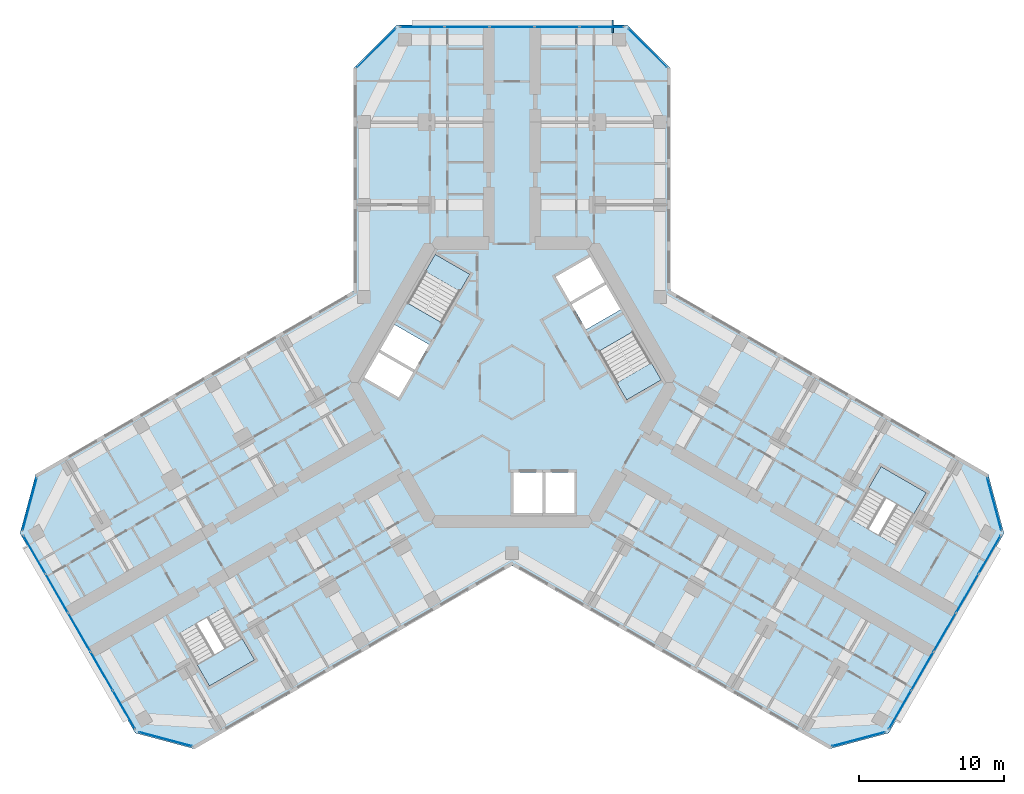
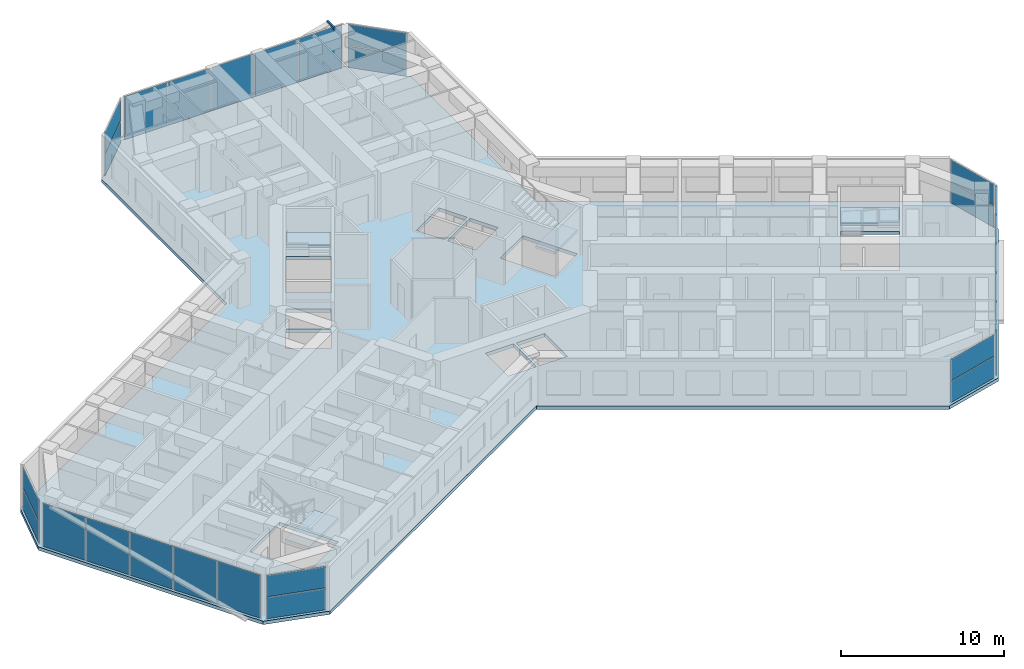
# One storey, part 9 of 20: 27 plates, 5 slabs, 1 member, 13 elements without a shape of their own.
"""IFC4 building model written with IfcOpenShell, lengths in metres."""

from ifc_helpers import new_model, si_unit, direction, frame, origin, origin_2d, place, context, subcontext, project, spatial, polyline, rectangle, hollow_rectangle, outline, extrude, material, layer, layer_set, material_profile, profile_set, type_object, element, aggregate, save


model = new_model("IFC4")

# Units and contexts
model_context = context("Model", 3, precision=1e-05, world=origin(), true_north=direction((0.0, 1.0)))
body_context = subcontext(model_context, "Body", "Model", "MODEL_VIEW")
ifc_project = project(units=[si_unit("LENGTHUNIT", "METRE"), si_unit("AREAUNIT", "SQUARE_METRE"), si_unit("VOLUMEUNIT", "CUBIC_METRE"), si_unit("PLANEANGLEUNIT", "RADIAN"), si_unit("MASSUNIT", "GRAM", prefix="KILO")], contexts=[model_context])

# Site, building, storey
site_placement = place(None, origin())
site = spatial("IfcSite", under=ifc_project, at=site_placement, CompositionType="ELEMENT")
building_placement = place(site_placement, origin())
building = spatial("IfcBuilding", under=site, at=building_placement, Name="Kosmar Iwan School Tower", CompositionType="ELEMENT")
storey_placement = place(building_placement, frame((0.0, 0.0, 179.60009765625)))
storey = spatial("IfcBuildingStorey", under=building, at=storey_placement, Name="L45", CompositionType="ELEMENT", Elevation=179.60009765625)

# Member
ifc_material_1 = material(Name="Steel S355", Category="steel")
ifc_material_profile = material_profile(ifc_material_1, hollow_rectangle(XDim=0.10009765625, YDim=0.199951171875, WallThickness=0.008056640625, at=origin_2d()), Name="RHS 200x100x8")
ifc_profile_set = profile_set([ifc_material_profile], Name="Steel S355")
member_type = type_object("IfcMemberType", Name="Fin bracket RHS 200x100", PredefinedType="USERDEFINED", material=ifc_profile_set)
member_placement = place(storey_placement, frame((6.949951171875, 24.10009765625, 3.474853515625), z_axis=(0.0, 1.0, 0.0), x_axis=(-1.0, 0.0, 0.0)))
element("IfcMember", 1, at=member_placement, inside=storey, type_object=member_type, Name="Fin bracket L46", ObjectType="FIN BRACKET", PredefinedType="USERDEFINED", context=body_context, shape_type="SweptSolid", body=[
    extrude(hollow_rectangle(XDim=0.10009765625, YDim=0.199951171875, WallThickness=0.008056640625, at=origin_2d()), origin(), (0.0, 0.0, 1.0), 0.89990234375),
])

# Curtain wall, plates
ifc_material_2 = material(Name="Dark glass in black aluminium frame", Category="aluminium")
curtain_wall_type_1 = type_object("IfcCurtainWallType", Name="Chamfer curtain wall dark glass", PredefinedType="USERDEFINED", material=ifc_material_2)
curtain_wall_1_placement = place(storey_placement, origin())
curtain_wall_1 = element("IfcCurtainWall", 2, at=curtain_wall_1_placement, inside=storey, type_object=curtain_wall_type_1, Name="Curtain wall L45-F02", ObjectType="FACETED CURTAIN WALL", PredefinedType="USERDEFINED")
ifc_material_3 = material(Name="Dark glass", Category="glass")
ifc_layer_1 = layer(ifc_material_3, 0.028076171875)
ifc_layer_set_1 = layer_set([ifc_layer_1], Name="Dark glass panel 28")
plate_type = type_object("IfcPlateType", Name="Dark glass panel 28", PredefinedType="CURTAIN_PANEL", material=ifc_layer_set_1)
plate_1_placement = place(storey_placement, frame((23.908203125, -24.61328125, 0.059814453125), z_axis=(0.0, 0.0, 1.0), x_axis=(0.965925875495, 0.258818861462, 0.0)))
plate_1 = element("IfcPlate", 3, at=plate_1_placement, type_object=plate_type, Name="CW2 panel 1.1", PredefinedType="CURTAIN_PANEL", context=body_context, shape_type="SweptSolid", body=[
    extrude(rectangle(XDim=3.718994140625, YDim=0.028076171875, at=origin_2d()), origin(), (0.0, 0.0, 1.0), 1.5849609375),
])
plate_2_placement = place(storey_placement, frame((23.908203125, -24.61328125, 1.704833984375), z_axis=(0.0, 0.0, 1.0), x_axis=(0.965925875495, 0.258818861462, 0.0)))
plate_2 = element("IfcPlate", 4, at=plate_2_placement, type_object=plate_type, Name="CW2 panel 1.2", PredefinedType="CURTAIN_PANEL", context=body_context, shape_type="SweptSolid", body=[
    extrude(rectangle(XDim=3.718994140625, YDim=0.028076171875, at=origin_2d()), origin(), (0.0, 0.0, 1.0), 1.5849609375),
])
aggregate(curtain_wall_1, [plate_1, plate_2])

ifc_material_4 = material(Name="Dark glass in black aluminium frame", Category="aluminium")
curtain_wall_type_2 = type_object("IfcCurtainWallType", Name="Tower curtain wall dark glass", PredefinedType="USERDEFINED", material=ifc_material_4)
curtain_wall_2_placement = place(storey_placement, origin())
curtain_wall_2 = element("IfcCurtainWall", 5, at=curtain_wall_2_placement, inside=storey, type_object=curtain_wall_type_2, Name="Curtain wall L45-F03", ObjectType="UNITISED CURTAIN WALL", PredefinedType="USERDEFINED")
plate_3_placement = place(storey_placement, frame((26.764404296875, -22.592529296875, 0.059814453125), z_axis=(0.0, 0.0, 1.0), x_axis=(0.499999997325, 0.866025405329, 0.0)))
plate_3 = element("IfcPlate", 6, at=plate_3_placement, type_object=plate_type, Name="CW1 panel 1.1", PredefinedType="CURTAIN_PANEL", context=body_context, shape_type="SweptSolid", body=[
    extrude(rectangle(XDim=3.00927734375, YDim=0.028076171875, at=origin_2d()), origin(), (0.0, 0.0, 1.0), 3.22998046875),
])
plate_4_placement = place(storey_placement, frame((28.306640625, -19.921630859375, 0.059814453125), z_axis=(0.0, 0.0, 1.0), x_axis=(0.499999997325, 0.866025405329, 0.0)))
plate_4 = element("IfcPlate", 7, at=plate_4_placement, type_object=plate_type, Name="CW1 panel 2.1", PredefinedType="CURTAIN_PANEL", context=body_context, shape_type="SweptSolid", body=[
    extrude(rectangle(XDim=3.039306640625, YDim=0.028076171875, at=origin_2d()), origin(), (0.0, 0.0, 1.0), 3.22998046875),
])
plate_5_placement = place(storey_placement, frame((29.856201171875, -17.237548828125, 0.059814453125), z_axis=(0.0, 0.0, 1.0), x_axis=(0.499999997325, 0.866025405329, 0.0)))
plate_5 = element("IfcPlate", 8, at=plate_5_placement, type_object=plate_type, Name="CW1 panel 3.1", PredefinedType="CURTAIN_PANEL", context=body_context, shape_type="SweptSolid", body=[
    extrude(rectangle(XDim=3.039306640625, YDim=0.028076171875, at=origin_2d()), origin(), (0.0, 0.0, 1.0), 3.22998046875),
])
plate_6_placement = place(storey_placement, frame((31.40576171875, -14.553466796875, 0.059814453125), z_axis=(0.0, 0.0, 1.0), x_axis=(0.499999997325, 0.866025405329, 0.0)))
plate_6 = element("IfcPlate", 9, at=plate_6_placement, type_object=plate_type, Name="CW1 panel 4.1", PredefinedType="CURTAIN_PANEL", context=body_context, shape_type="SweptSolid", body=[
    extrude(rectangle(XDim=3.039306640625, YDim=0.028076171875, at=origin_2d()), origin(), (0.0, 0.0, 1.0), 3.22998046875),
])
plate_7_placement = place(storey_placement, frame((32.947998046875, -11.88232421875, 0.059814453125), z_axis=(0.0, 0.0, 1.0), x_axis=(0.499999997325, 0.866025405329, 0.0)))
plate_7 = element("IfcPlate", 10, at=plate_7_placement, type_object=plate_type, Name="CW1 panel 5.1", PredefinedType="CURTAIN_PANEL", context=body_context, shape_type="SweptSolid", body=[
    extrude(rectangle(XDim=3.00927734375, YDim=0.028076171875, at=origin_2d()), origin(), (0.0, 0.0, 1.0), 3.22998046875),
])
aggregate(curtain_wall_2, [plate_3, plate_4, plate_5, plate_6, plate_7])

curtain_wall_3_placement = place(storey_placement, origin())
curtain_wall_3 = element("IfcCurtainWall", 11, at=curtain_wall_3_placement, inside=storey, type_object=curtain_wall_type_1, Name="Curtain wall L45-F04", ObjectType="FACETED CURTAIN WALL", PredefinedType="USERDEFINED")
plate_8_placement = place(storey_placement, frame((33.269775390625, -8.3984375, 0.059814453125), z_axis=(0.0, 0.0, 1.0), x_axis=(-0.258818861462, 0.965925875495, 0.0)))
plate_8 = element("IfcPlate", 12, at=plate_8_placement, type_object=plate_type, Name="CW2 panel 1.1", PredefinedType="CURTAIN_PANEL", context=body_context, shape_type="SweptSolid", body=[
    extrude(rectangle(XDim=3.718994140625, YDim=0.028076171875, at=origin_2d()), origin(), (0.0, 0.0, 1.0), 1.5849609375),
])
plate_9_placement = place(storey_placement, frame((33.269775390625, -8.3984375, 1.704833984375), z_axis=(0.0, 0.0, 1.0), x_axis=(-0.258818861462, 0.965925875495, 0.0)))
plate_9 = element("IfcPlate", 13, at=plate_9_placement, type_object=plate_type, Name="CW2 panel 1.2", PredefinedType="CURTAIN_PANEL", context=body_context, shape_type="SweptSolid", body=[
    extrude(rectangle(XDim=3.718994140625, YDim=0.028076171875, at=origin_2d()), origin(), (0.0, 0.0, 1.0), 1.5849609375),
])
aggregate(curtain_wall_3, [plate_8, plate_9])

curtain_wall_4_placement = place(storey_placement, origin())
curtain_wall_4 = element("IfcCurtainWall", 14, at=curtain_wall_4_placement, inside=storey, type_object=curtain_wall_type_1, Name="Curtain wall L45-F07", ObjectType="FACETED CURTAIN WALL", PredefinedType="USERDEFINED")
plate_10_placement = place(storey_placement, frame((9.361572265625, 23.0615234375, 0.059814453125), z_axis=(0.0, 0.0, 1.0), x_axis=(-0.707106781187, 0.707106781187, 0.0)))
plate_10 = element("IfcPlate", 15, at=plate_10_placement, type_object=plate_type, Name="CW2 panel 1.1", PredefinedType="CURTAIN_PANEL", context=body_context, shape_type="SweptSolid", body=[
    extrude(rectangle(XDim=3.718994140625, YDim=0.028076171875, at=origin_2d()), origin(), (0.0, 0.0, 1.0), 1.5849609375),
])
plate_11_placement = place(storey_placement, frame((9.361572265625, 23.0615234375, 1.704833984375), z_axis=(0.0, 0.0, 1.0), x_axis=(-0.707106781187, 0.707106781187, 0.0)))
plate_11 = element("IfcPlate", 16, at=plate_11_placement, type_object=plate_type, Name="CW2 panel 1.2", PredefinedType="CURTAIN_PANEL", context=body_context, shape_type="SweptSolid", body=[
    extrude(rectangle(XDim=3.718994140625, YDim=0.028076171875, at=origin_2d()), origin(), (0.0, 0.0, 1.0), 1.5849609375),
])
aggregate(curtain_wall_4, [plate_10, plate_11])

curtain_wall_5_placement = place(storey_placement, origin())
curtain_wall_5 = element("IfcCurtainWall", 17, at=curtain_wall_5_placement, inside=storey, type_object=curtain_wall_type_2, Name="Curtain wall L45-F08", ObjectType="UNITISED CURTAIN WALL", PredefinedType="USERDEFINED")
plate_12_placement = place(storey_placement, frame((6.18359375, 24.52490234375, 0.059814453125), z_axis=(0.0, 0.0, 1.0), x_axis=(-1.0, 0.0, 0.0)))
plate_12 = element("IfcPlate", 18, at=plate_12_placement, type_object=plate_type, Name="CW1 panel 1.1", PredefinedType="CURTAIN_PANEL", context=body_context, shape_type="SweptSolid", body=[
    extrude(rectangle(XDim=3.00927734375, YDim=0.028076171875, at=origin_2d()), origin(), (0.0, 0.0, 1.0), 3.22998046875),
])
plate_13_placement = place(storey_placement, frame((3.099365234375, 24.52490234375, 0.059814453125), z_axis=(0.0, 0.0, 1.0), x_axis=(-1.0, 0.0, 0.0)))
plate_13 = element("IfcPlate", 19, at=plate_13_placement, type_object=plate_type, Name="CW1 panel 2.1", PredefinedType="CURTAIN_PANEL", context=body_context, shape_type="SweptSolid", body=[
    extrude(rectangle(XDim=3.039306640625, YDim=0.028076171875, at=origin_2d()), origin(), (0.0, 0.0, 1.0), 3.22998046875),
])
plate_14_placement = place(storey_placement, frame((0.0, 24.52490234375, 0.059814453125), z_axis=(0.0, 0.0, 1.0), x_axis=(-1.0, 0.0, 0.0)))
plate_14 = element("IfcPlate", 20, at=plate_14_placement, type_object=plate_type, Name="CW1 panel 3.1", PredefinedType="CURTAIN_PANEL", context=body_context, shape_type="SweptSolid", body=[
    extrude(rectangle(XDim=3.039306640625, YDim=0.028076171875, at=origin_2d()), origin(), (0.0, 0.0, 1.0), 3.22998046875),
])
plate_15_placement = place(storey_placement, frame((-3.099365234375, 24.52490234375, 0.059814453125), z_axis=(0.0, 0.0, 1.0), x_axis=(-1.0, 0.0, 0.0)))
plate_15 = element("IfcPlate", 21, at=plate_15_placement, type_object=plate_type, Name="CW1 panel 4.1", PredefinedType="CURTAIN_PANEL", context=body_context, shape_type="SweptSolid", body=[
    extrude(rectangle(XDim=3.039306640625, YDim=0.028076171875, at=origin_2d()), origin(), (0.0, 0.0, 1.0), 3.22998046875),
])
plate_16_placement = place(storey_placement, frame((-6.18359375, 24.52490234375, 0.059814453125), z_axis=(0.0, 0.0, 1.0), x_axis=(-1.0, 0.0, 0.0)))
plate_16 = element("IfcPlate", 22, at=plate_16_placement, type_object=plate_type, Name="CW1 panel 5.1", PredefinedType="CURTAIN_PANEL", context=body_context, shape_type="SweptSolid", body=[
    extrude(rectangle(XDim=3.00927734375, YDim=0.028076171875, at=origin_2d()), origin(), (0.0, 0.0, 1.0), 3.22998046875),
])
aggregate(curtain_wall_5, [plate_12, plate_13, plate_14, plate_15, plate_16])

curtain_wall_6_placement = place(storey_placement, origin())
curtain_wall_6 = element("IfcCurtainWall", 23, at=curtain_wall_6_placement, inside=storey, type_object=curtain_wall_type_1, Name="Curtain wall L45-F09", ObjectType="FACETED CURTAIN WALL", PredefinedType="USERDEFINED")
plate_17_placement = place(storey_placement, frame((-9.361572265625, 23.0615234375, 0.059814453125), z_axis=(0.0, 0.0, 1.0), x_axis=(-0.707106781187, -0.707106781187, 0.0)))
plate_17 = element("IfcPlate", 24, at=plate_17_placement, type_object=plate_type, Name="CW2 panel 1.1", PredefinedType="CURTAIN_PANEL", context=body_context, shape_type="SweptSolid", body=[
    extrude(rectangle(XDim=3.718994140625, YDim=0.028076171875, at=origin_2d()), origin(), (0.0, 0.0, 1.0), 1.5849609375),
])
plate_18_placement = place(storey_placement, frame((-9.361572265625, 23.0615234375, 1.704833984375), z_axis=(0.0, 0.0, 1.0), x_axis=(-0.707106781187, -0.707106781187, 0.0)))
plate_18 = element("IfcPlate", 25, at=plate_18_placement, type_object=plate_type, Name="CW2 panel 1.2", PredefinedType="CURTAIN_PANEL", context=body_context, shape_type="SweptSolid", body=[
    extrude(rectangle(XDim=3.718994140625, YDim=0.028076171875, at=origin_2d()), origin(), (0.0, 0.0, 1.0), 1.5849609375),
])
aggregate(curtain_wall_6, [plate_17, plate_18])

curtain_wall_7_placement = place(storey_placement, origin())
curtain_wall_7 = element("IfcCurtainWall", 26, at=curtain_wall_7_placement, inside=storey, type_object=curtain_wall_type_1, Name="Curtain wall L45-F12", ObjectType="FACETED CURTAIN WALL", PredefinedType="USERDEFINED")
plate_19_placement = place(storey_placement, frame((-33.269775390625, -8.3984375, 0.059814453125), z_axis=(0.0, 0.0, 1.0), x_axis=(-0.258818861462, -0.965925875495, 0.0)))
plate_19 = element("IfcPlate", 27, at=plate_19_placement, type_object=plate_type, Name="CW2 panel 1.1", PredefinedType="CURTAIN_PANEL", context=body_context, shape_type="SweptSolid", body=[
    extrude(rectangle(XDim=3.718994140625, YDim=0.028076171875, at=origin_2d()), origin(), (0.0, 0.0, 1.0), 1.5849609375),
])
plate_20_placement = place(storey_placement, frame((-33.269775390625, -8.3984375, 1.704833984375), z_axis=(0.0, 0.0, 1.0), x_axis=(-0.258818861462, -0.965925875495, 0.0)))
plate_20 = element("IfcPlate", 28, at=plate_20_placement, type_object=plate_type, Name="CW2 panel 1.2", PredefinedType="CURTAIN_PANEL", context=body_context, shape_type="SweptSolid", body=[
    extrude(rectangle(XDim=3.718994140625, YDim=0.028076171875, at=origin_2d()), origin(), (0.0, 0.0, 1.0), 1.5849609375),
])
aggregate(curtain_wall_7, [plate_19, plate_20])

curtain_wall_8_placement = place(storey_placement, origin())
curtain_wall_8 = element("IfcCurtainWall", 29, at=curtain_wall_8_placement, inside=storey, type_object=curtain_wall_type_2, Name="Curtain wall L45-F13", ObjectType="UNITISED CURTAIN WALL", PredefinedType="USERDEFINED")
plate_21_placement = place(storey_placement, frame((-32.947998046875, -11.88232421875, 0.059814453125), z_axis=(0.0, 0.0, 1.0), x_axis=(0.499999997325, -0.866025405329, 0.0)))
plate_21 = element("IfcPlate", 30, at=plate_21_placement, type_object=plate_type, Name="CW1 panel 1.1", PredefinedType="CURTAIN_PANEL", context=body_context, shape_type="SweptSolid", body=[
    extrude(rectangle(XDim=3.00927734375, YDim=0.028076171875, at=origin_2d()), origin(), (0.0, 0.0, 1.0), 3.22998046875),
])
plate_22_placement = place(storey_placement, frame((-31.40576171875, -14.553466796875, 0.059814453125), z_axis=(0.0, 0.0, 1.0), x_axis=(0.499999997325, -0.866025405329, 0.0)))
plate_22 = element("IfcPlate", 31, at=plate_22_placement, type_object=plate_type, Name="CW1 panel 2.1", PredefinedType="CURTAIN_PANEL", context=body_context, shape_type="SweptSolid", body=[
    extrude(rectangle(XDim=3.039306640625, YDim=0.028076171875, at=origin_2d()), origin(), (0.0, 0.0, 1.0), 3.22998046875),
])
plate_23_placement = place(storey_placement, frame((-29.856201171875, -17.237548828125, 0.059814453125), z_axis=(0.0, 0.0, 1.0), x_axis=(0.499999997325, -0.866025405329, 0.0)))
plate_23 = element("IfcPlate", 32, at=plate_23_placement, type_object=plate_type, Name="CW1 panel 3.1", PredefinedType="CURTAIN_PANEL", context=body_context, shape_type="SweptSolid", body=[
    extrude(rectangle(XDim=3.039306640625, YDim=0.028076171875, at=origin_2d()), origin(), (0.0, 0.0, 1.0), 3.22998046875),
])
plate_24_placement = place(storey_placement, frame((-28.306640625, -19.921630859375, 0.059814453125), z_axis=(0.0, 0.0, 1.0), x_axis=(0.499999997325, -0.866025405329, 0.0)))
plate_24 = element("IfcPlate", 33, at=plate_24_placement, type_object=plate_type, Name="CW1 panel 4.1", PredefinedType="CURTAIN_PANEL", context=body_context, shape_type="SweptSolid", body=[
    extrude(rectangle(XDim=3.039306640625, YDim=0.028076171875, at=origin_2d()), origin(), (0.0, 0.0, 1.0), 3.22998046875),
])
plate_25_placement = place(storey_placement, frame((-26.764404296875, -22.592529296875, 0.059814453125), z_axis=(0.0, 0.0, 1.0), x_axis=(0.499999997325, -0.866025405329, 0.0)))
plate_25 = element("IfcPlate", 34, at=plate_25_placement, type_object=plate_type, Name="CW1 panel 5.1", PredefinedType="CURTAIN_PANEL", context=body_context, shape_type="SweptSolid", body=[
    extrude(rectangle(XDim=3.00927734375, YDim=0.028076171875, at=origin_2d()), origin(), (0.0, 0.0, 1.0), 3.22998046875),
])
aggregate(curtain_wall_8, [plate_21, plate_22, plate_23, plate_24, plate_25])

curtain_wall_9_placement = place(storey_placement, origin())
curtain_wall_9 = element("IfcCurtainWall", 35, at=curtain_wall_9_placement, inside=storey, type_object=curtain_wall_type_1, Name="Curtain wall L45-F14", ObjectType="FACETED CURTAIN WALL", PredefinedType="USERDEFINED")
plate_26_placement = place(storey_placement, frame((-23.908203125, -24.61328125, 0.059814453125), z_axis=(0.0, 0.0, 1.0), x_axis=(0.965925875495, -0.258818861462, 0.0)))
plate_26 = element("IfcPlate", 36, at=plate_26_placement, type_object=plate_type, Name="CW2 panel 1.1", PredefinedType="CURTAIN_PANEL", context=body_context, shape_type="SweptSolid", body=[
    extrude(rectangle(XDim=3.718994140625, YDim=0.028076171875, at=origin_2d()), origin(), (0.0, 0.0, 1.0), 1.5849609375),
])
plate_27_placement = place(storey_placement, frame((-23.908203125, -24.61328125, 1.704833984375), z_axis=(0.0, 0.0, 1.0), x_axis=(0.965925875495, -0.258818861462, 0.0)))
plate_27 = element("IfcPlate", 37, at=plate_27_placement, type_object=plate_type, Name="CW2 panel 1.2", PredefinedType="CURTAIN_PANEL", context=body_context, shape_type="SweptSolid", body=[
    extrude(rectangle(XDim=3.718994140625, YDim=0.028076171875, at=origin_2d()), origin(), (0.0, 0.0, 1.0), 1.5849609375),
])
aggregate(curtain_wall_9, [plate_26, plate_27])

# Stair, slab
ifc_material_5 = material(Name="Concrete C35/45", Category="concrete")
stair_type_1 = type_object("IfcStairType", Name="Escape stair 3600", PredefinedType="HALF_TURN_STAIR", material=ifc_material_5)
stair_1_placement = place(storey_placement, origin())
stair_1 = element("IfcStair", 38, at=stair_1_placement, inside=storey, type_object=stair_type_1, Name="Stair WS2 L45", PredefinedType="HALF_TURN_STAIR")
ifc_material_6 = material(Name="Concrete C35/45", Category="concrete")
ifc_layer_2 = layer(ifc_material_6, 0.199951171875)
ifc_layer_set_2 = layer_set([ifc_layer_2], Name="Escape stair landing 200")
slab_type_1 = type_object("IfcSlabType", Name="Escape stair landing 200", PredefinedType="LANDING", material=ifc_layer_set_2)
slab_1_placement = place(storey_placement, frame((0.0, 0.0, 1.599853515625)))
slab_1 = element("IfcSlab", 39, at=slab_1_placement, type_object=slab_type_1, Name="WS2 landing 1", PredefinedType="LANDING", context=body_context, shape_type="SweptSolid", body=[
    extrude(outline(polyline([(-18.607421875, -17.671142578125), (-21.72509765625, -19.47119140625), (-20.875, -20.943359375), (-17.75732421875, -19.143310546875), (-18.607421875, -17.671142578125)])), origin(), (0.0, 0.0, 1.0), 0.199951171875),
])
aggregate(stair_1, [slab_1])

stair_2_placement = place(storey_placement, origin())
stair_2 = element("IfcStair", 40, at=stair_2_placement, inside=storey, type_object=stair_type_1, Name="Stair WS3 L45", PredefinedType="HALF_TURN_STAIR")
slab_2_placement = place(storey_placement, frame((0.0, 0.0, 1.599853515625)))
slab_2 = element("IfcSlab", 41, at=slab_2_placement, type_object=slab_type_1, Name="WS3 landing 1", PredefinedType="LANDING", context=body_context, shape_type="SweptSolid", body=[
    extrude(outline(polyline([(24.607421875, -7.27880859375), (27.72509765625, -9.078857421875), (28.574951171875, -7.606689453125), (25.457275390625, -5.806640625), (24.607421875, -7.27880859375)])), origin(), (0.0, 0.0, 1.0), 0.199951171875),
])
aggregate(stair_2, [slab_2])

# Slab
ifc_material_7 = material(Name="Concrete C35/45", Category="concrete")
ifc_layer_3 = layer(ifc_material_7, 0.25)
ifc_layer_set_3 = layer_set([ifc_layer_3], Name="Floor slab 250")
slab_type_2 = type_object("IfcSlabType", Name="Floor slab 250", PredefinedType="FLOOR", material=ifc_layer_set_3)
slab_3_placement = place(storey_placement, frame((0.0, 0.0, -0.25)))
element("IfcSlab", 42, at=slab_3_placement, inside=storey, type_object=slab_type_2, Name="L45 floor slab", PredefinedType="FLOOR", context=body_context, shape_type="SweptSolid", body=[
    extrude(outline(polyline([(-21.891357421875, -25.282958984375), (0.0, -12.64404296875), (21.891357421875, -25.282958984375), (25.989501953125, -24.184814453125), (33.939453125, -10.4150390625), (32.84130859375, -6.317138671875), (10.949951171875, 6.322021484375), (10.949951171875, 21.64990234375), (7.949951171875, 24.64990234375), (-7.949951171875, 24.64990234375), (-10.949951171875, 21.64990234375), (-10.949951171875, 6.322021484375), (-32.84130859375, -6.317138671875), (-33.939453125, -10.4150390625), (-25.989501953125, -24.184814453125), (-21.891357421875, -25.282958984375)]), holes=[polyline([(7.91259765625, -1.205078125), (10.294189453125, 0.169921875), (8.3642578125, 3.5126953125), (5.982666015625, 2.1376953125), (7.91259765625, -1.205078125)]), polyline([(-2.91259765625, 7.455078125), (-5.294189453125, 8.830078125), (-7.22412109375, 5.4873046875), (-4.8427734375, 4.1123046875), (-2.91259765625, 7.455078125)]), polyline([(-5.712646484375, 2.60546875), (-8.09423828125, 3.98046875), (-9.09423828125, 2.248291015625), (-6.712646484375, 0.873291015625), (-5.712646484375, 2.60546875)]), polyline([(-6.812744140625, 0.7001953125), (-9.1943359375, 2.0751953125), (-10.1943359375, 0.343017578125), (-7.812744140625, -1.031982421875), (-6.812744140625, 0.7001953125)]), polyline([(5.112548828125, 3.64453125), (7.494140625, 5.01953125), (6.494140625, 6.751708984375), (4.112548828125, 5.376708984375), (5.112548828125, 3.64453125)]), polyline([(4.0126953125, 5.5498046875), (6.394287109375, 6.9248046875), (5.394287109375, 8.656982421875), (3.0126953125, 7.281982421875), (4.0126953125, 5.5498046875)]), polyline([(0.10009765625, -6.199951171875), (0.10009765625, -9.0), (2.10009765625, -9.0), (2.10009765625, -6.199951171875), (0.10009765625, -6.199951171875)]), polyline([(2.300048828125, -6.199951171875), (2.300048828125, -9.0), (4.300048828125, -9.0), (4.300048828125, -6.199951171875), (2.300048828125, -6.199951171875)]), polyline([(-19.847412109375, -15.5234375), (-22.965087890625, -17.323486328125), (-20.875, -20.943359375), (-17.75732421875, -19.143310546875), (-19.847412109375, -15.5234375)]), polyline([(23.367431640625, -9.426513671875), (26.485107421875, -11.2265625), (28.574951171875, -7.606689453125), (25.457275390625, -5.806640625), (23.367431640625, -9.426513671875)])]), origin(), (0.0, 0.0, 1.0), 0.25),
])

# Stair, slab
ifc_material_8 = material(Name="Concrete C35/45", Category="concrete")
stair_type_2 = type_object("IfcStairType", Name="Core stair 2750", PredefinedType="HALF_TURN_STAIR", material=ifc_material_8)
stair_3_placement = place(storey_placement, origin())
stair_3 = element("IfcStair", 43, at=stair_3_placement, inside=storey, type_object=stair_type_2, Name="Stair ST2 L45", PredefinedType="HALF_TURN_STAIR")
ifc_material_9 = material(Name="Concrete C35/45", Category="concrete")
ifc_layer_4 = layer(ifc_material_9, 0.199951171875)
ifc_layer_set_4 = layer_set([ifc_layer_4], Name="Stair landing 200")
slab_type_3 = type_object("IfcSlabType", Name="Stair landing 200", PredefinedType="LANDING", material=ifc_layer_set_4)
slab_4_placement = place(storey_placement, frame((0.0, 0.0, 1.599853515625)))
slab_4 = element("IfcSlab", 44, at=slab_4_placement, type_object=slab_type_3, Name="ST2 landing 1", PredefinedType="LANDING", context=body_context, shape_type="SweptSolid", body=[
    extrude(outline(polyline([(-2.91259765625, 7.455078125), (-5.294189453125, 8.830078125), (-5.97412109375, 7.65234375), (-3.5927734375, 6.27734375), (-2.91259765625, 7.455078125)])), origin(), (0.0, 0.0, 1.0), 0.199951171875),
])
aggregate(stair_3, [slab_4])

stair_4_placement = place(storey_placement, origin())
stair_4 = element("IfcStair", 45, at=stair_4_placement, inside=storey, type_object=stair_type_2, Name="Stair ST1 L45", PredefinedType="HALF_TURN_STAIR")
slab_5_placement = place(storey_placement, frame((0.0, 0.0, 1.599853515625)))
slab_5 = element("IfcSlab", 46, at=slab_5_placement, type_object=slab_type_3, Name="ST1 landing 1", PredefinedType="LANDING", context=body_context, shape_type="SweptSolid", body=[
    extrude(outline(polyline([(7.91259765625, -1.205078125), (10.294189453125, 0.169921875), (9.6142578125, 1.34765625), (7.232666015625, -0.02734375), (7.91259765625, -1.205078125)])), origin(), (0.0, 0.0, 1.0), 0.199951171875),
])
aggregate(stair_4, [slab_5])

save(model, "model.ifc")
